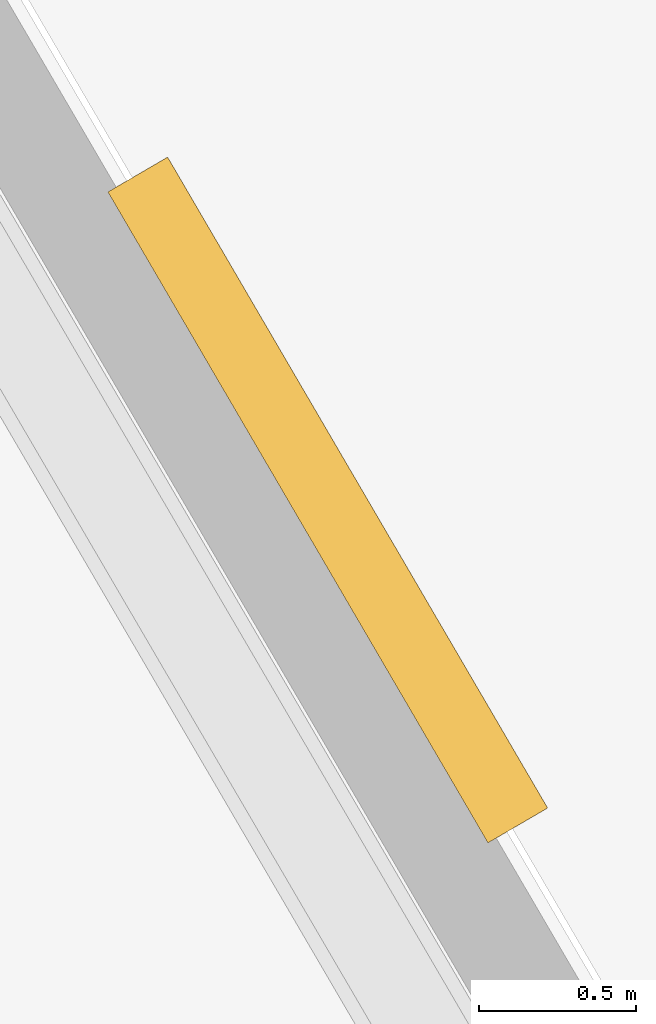
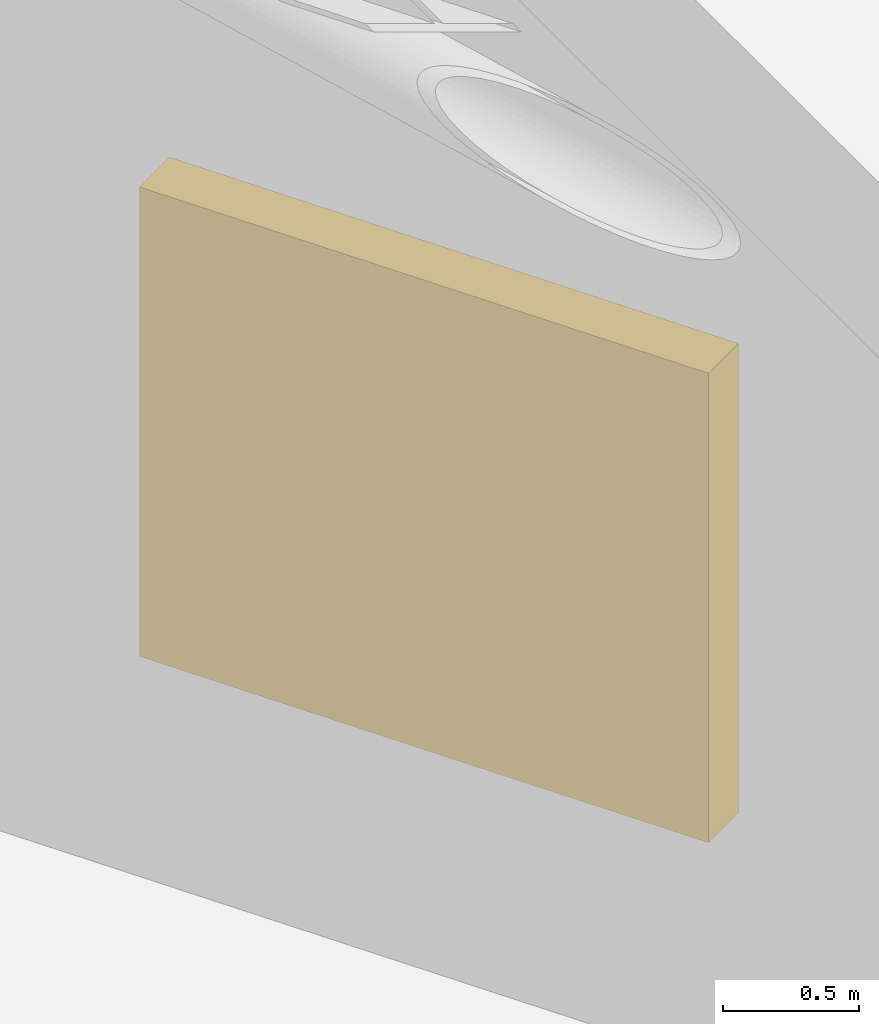
# One storey, part 23 of 23: 1 shading device.
"""IFC4 building model written with IfcOpenShell, lengths in metres."""

from ifc_helpers import new_model, si_unit, direction, frame, origin, origin_2d, place, context, subcontext, project, spatial, rectangle, extrude, material, type_object, element, save


model = new_model("IFC4")

# Units and contexts
model_context = context("Model", 3, precision=1e-05, world=origin(), true_north=direction((0.0, 1.0)))
body_context = subcontext(model_context, "Body", "Model", "MODEL_VIEW")
ifc_project = project(units=[si_unit("LENGTHUNIT", "METRE"), si_unit("AREAUNIT", "SQUARE_METRE"), si_unit("VOLUMEUNIT", "CUBIC_METRE"), si_unit("PLANEANGLEUNIT", "RADIAN"), si_unit("MASSUNIT", "GRAM", prefix="KILO")], contexts=[model_context])

# Site, building, storey
site_placement = place(None, origin())
site = spatial("IfcSite", under=ifc_project, at=site_placement, CompositionType="ELEMENT")
building_placement = place(site_placement, origin())
building = spatial("IfcBuilding", under=site, at=building_placement, Name="Apsidion Concourse Tower", CompositionType="ELEMENT")
storey_placement = place(building_placement, frame((0.0, 0.0, 29.0)))
storey = spatial("IfcBuildingStorey", under=building, at=storey_placement, Name="L05", CompositionType="ELEMENT", Elevation=29.0)

# Shading device
ifc_material = material(Name="Anodised aluminium EN AW-6063 T6", Category="aluminium")
shading_device_type = type_object("IfcShadingDeviceType", Name="SH-LOUVRE-AL", PredefinedType="JALOUSIE", material=ifc_material)
shading_device_placement = place(storey_placement, frame((29.46826171875, -0.44189453125, 0.75), z_axis=(0.0, 0.0, 1.0), x_axis=(0.504226211181, -0.863571611366, 0.0)))
element("IfcShadingDevice", 1, at=shading_device_placement, inside=storey, type_object=shading_device_type, Name="L05 Plant Acoustic Louvre Bank 1-2", PredefinedType="JALOUSIE", context=body_context, shape_type="SweptSolid", body=[
    extrude(rectangle(XDim=2.39990234375, YDim=0.219970703125, at=origin_2d()), origin(), (0.0, 0.0, 1.0), 2.10009765625),
])

save(model, "model.ifc")
